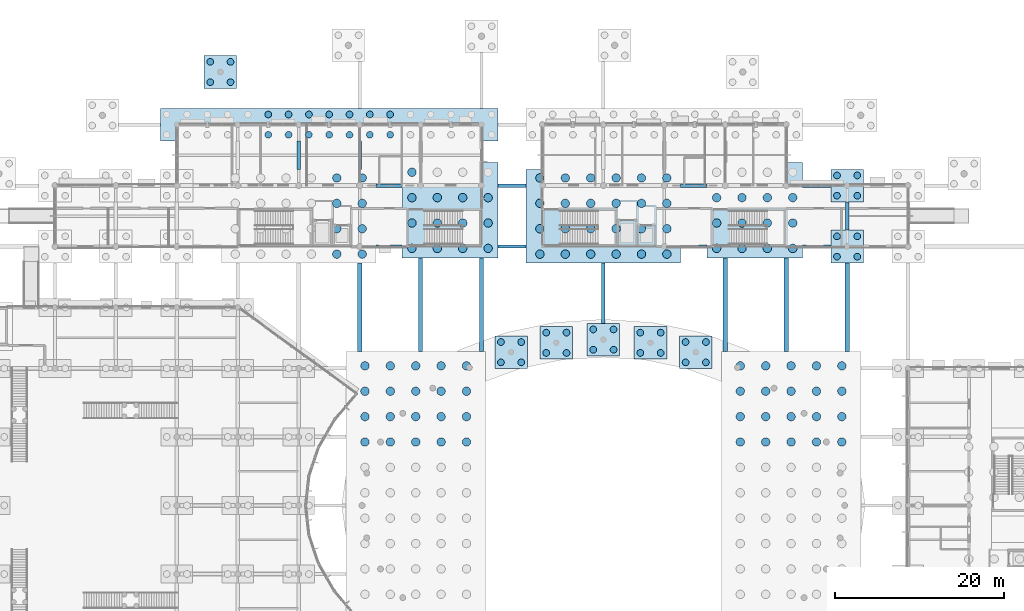
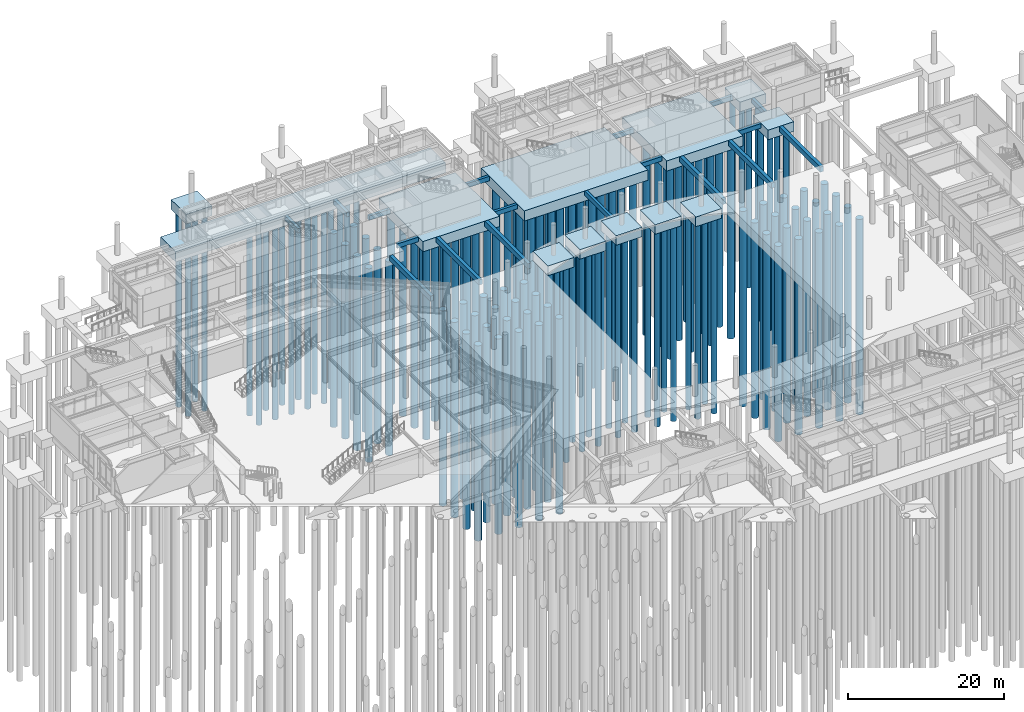
# One storey, part 6 of 103: 143 piles, 30 footings.
"""IFC4 building model written with IfcOpenShell, lengths in metres."""

from ifc_helpers import new_model, si_unit, direction, frame, origin, origin_2d, place, context, subcontext, project, spatial, rectangle, circle, extrude, material, layer, layer_set, material_profile, profile_set, type_object, element, save


model = new_model("IFC4")

# Units and contexts
model_context = context("Model", 3, precision=1e-05, world=origin(), true_north=direction((0.0, 1.0)))
body_context = subcontext(model_context, "Body", "Model", "MODEL_VIEW")
ifc_project = project(units=[si_unit("LENGTHUNIT", "METRE"), si_unit("AREAUNIT", "SQUARE_METRE"), si_unit("VOLUMEUNIT", "CUBIC_METRE"), si_unit("PLANEANGLEUNIT", "RADIAN"), si_unit("MASSUNIT", "GRAM", prefix="KILO")], contexts=[model_context])

# Site, building, storey
site_placement = place(None, origin())
site = spatial("IfcSite", under=ifc_project, at=site_placement, CompositionType="ELEMENT")
building_placement = place(site_placement, origin())
building = spatial("IfcBuilding", under=site, at=building_placement, Name="Namkhue Oval Health Centre", CompositionType="ELEMENT")
storey_placement = place(building_placement, origin())
storey = spatial("IfcBuildingStorey", under=building, at=storey_placement, Name="L00", CompositionType="ELEMENT", Elevation=0.0)

# Footings
ifc_material_1 = material(Name="Reinforced concrete C30/37 (TCVN B35)", Category="concrete")
ifc_layer_1 = layer(ifc_material_1, 1.60009765625)
ifc_layer_set_1 = layer_set([ifc_layer_1], Name="Reinforced concrete C30/37 (TCVN B35)")
footing_type_1 = type_object("IfcFootingType", Name="BORED PILE CAP 11300X11300X1600", PredefinedType="PILE_CAP", material=ifc_layer_set_1)
for number, where, z_axis, x_axis, name in (
    (1, (82.675048828125, 94.27490234375, -1.860107421875), (0.0, 0.0, 1.0), (1.0, 0.0, 0.0), "Reinforced Concrete Pile Cap 115"),
    (2, (118.675048828125, 94.27490234375, -1.864990234375), (0.0, 0.0, 1.0), (1.0, 0.0, 0.0), "Reinforced Concrete Pile Cap 116"),
):
    element("IfcFooting", number, at=place(storey_placement, frame(where, z_axis=z_axis, x_axis=x_axis)), inside=storey, type_object=footing_type_1, Name=name, PredefinedType="PILE_CAP", context=body_context, shape_type="SweptSolid", body=[
        extrude(rectangle(XDim=11.300048828125, YDim=11.300048828125, at=origin_2d()), origin(), (0.0, 0.0, 1.0), 1.60009765625),
    ])
ifc_layer_2 = layer(ifc_material_1, 1.60009765625)
ifc_layer_set_2 = layer_set([ifc_layer_2], Name="Reinforced concrete C30/37 (TCVN B35)")
footing_type_2 = type_object("IfcFootingType", Name="BORED PILE CAP 18250X11050X1600", PredefinedType="PILE_CAP", material=ifc_layer_set_2)
footing_1_placement = place(storey_placement, frame((100.800048828125, 93.60009765625, -1.864990234375), z_axis=(0.0, 0.0, 1.0), x_axis=(1.0, 0.0, 0.0)))
element("IfcFooting", 3, at=footing_1_placement, inside=storey, type_object=footing_type_2, Name="Reinforced Concrete Pile Cap 110", PredefinedType="PILE_CAP", context=body_context, shape_type="SweptSolid", body=[
    extrude(rectangle(XDim=18.25, YDim=11.050048828125, at=origin_2d()), origin(), (0.0, 0.0, 1.0), 1.60009765625),
])
ifc_layer_3 = layer(ifc_material_1, 1.5)
ifc_layer_set_3 = layer_set([ifc_layer_3], Name="Reinforced concrete C30/37 (TCVN B35)")
footing_type_3 = type_object("IfcFootingType", Name="BORED PILE CAP 3850X3850X1500", PredefinedType="PILE_CAP", material=ifc_layer_set_3)
for number, where, z_axis, x_axis, name in (
    (4, (89.888916015625, 77.510009765625, -1.5), (0.0, 0.0, 1.0), (1.0, 0.0, 0.0), "Reinforced Concrete Pile Cap 94"),
    (5, (111.711181640625, 77.510009765625, -1.5), (0.0, 0.0, 1.0), (1.0, 0.0, 0.0), "Reinforced Concrete Pile Cap 95"),
    (6, (95.237548828125, 78.62548828125, -1.5), (0.0, 0.0, 1.0), (1.0, 0.0, 0.0), "Reinforced Concrete Pile Cap 96"),
    (7, (106.3623046875, 78.62548828125, -1.5), (0.0, 0.0, 1.0), (1.0, 0.0, 0.0), "Reinforced Concrete Pile Cap 97"),
    (8, (100.800048828125, 79.001953125, -1.5), (0.0, 0.0, 1.0), (1.0, 0.0, 0.0), "Reinforced Concrete Pile Cap 98"),
    (9, (129.60009765625, 90.0, -1.764892578125), (0.0, 0.0, 1.0), (1.0, 0.0, 0.0), "Reinforced Concrete Pile Cap 111"),
    (10, (129.60009765625, 97.199951171875, -1.764892578125), (0.0, 0.0, 1.0), (1.0, 0.0, 0.0), "Reinforced Concrete Pile Cap 120"),
    (11, (55.540283203125, 110.619873046875, -1.5), (0.0, 0.0, 1.0), (1.0, 0.0, 0.0), "Reinforced Concrete Pile Cap 128"),
):
    element("IfcFooting", number, at=place(storey_placement, frame(where, z_axis=z_axis, x_axis=x_axis)), inside=storey, type_object=footing_type_3, Name=name, PredefinedType="PILE_CAP", context=body_context, shape_type="SweptSolid", body=[
        extrude(rectangle(XDim=3.85009765625, YDim=3.85009765625, at=origin_2d()), origin(), (0.0, 0.0, 1.0), 1.5),
    ])
ifc_layer_4 = layer(ifc_material_1, 1.60009765625)
ifc_layer_set_4 = layer_set([ifc_layer_4], Name="Reinforced concrete C30/37 (TCVN B35)")
footing_type_4 = type_object("IfcFootingType", Name="BORED PILE CAP 39850X3850X1600", PredefinedType="PILE_CAP", material=ifc_layer_set_4)
footing_2_placement = place(storey_placement, frame((68.39990234375, 104.39990234375, -1.860107421875), z_axis=(0.0, 0.0, 1.0), x_axis=(1.0, 0.0, 0.0)))
element("IfcFooting", 12, at=footing_2_placement, inside=storey, type_object=footing_type_4, Name="Reinforced Concrete Pile Cap 124", PredefinedType="PILE_CAP", context=body_context, shape_type="SweptSolid", body=[
    extrude(rectangle(XDim=39.85009765625, YDim=3.85009765625, at=origin_2d()), origin(), (0.0, 0.0, 1.0), 1.60009765625),
])
footing_type_5 = type_object("IfcFootingType", Name="FOUNDATION GROUND BEAM 400X700", PredefinedType="FOOTING_BEAM", material=ifc_material_1)
footing_3_placement = place(storey_placement, frame((75.47509765625, 90.0, -0.9599609375), z_axis=(0.0, 0.0, 1.0), x_axis=(1.0, 0.0, 0.0)))
element("IfcFooting", 13, at=footing_3_placement, inside=storey, type_object=footing_type_5, Name="Foundation Ground Tie Beam X-82", PredefinedType="FOOTING_BEAM", context=body_context, shape_type="SweptSolid", body=[
    extrude(rectangle(XDim=3.10009765625, YDim=0.39990234375, at=origin_2d()), origin(), (0.0, 0.0, 1.0), 0.699951171875),
])
footing_4_placement = place(storey_placement, frame((90.0, 90.0, -0.96484375), z_axis=(0.0, 0.0, 1.0), x_axis=(1.0, 0.0, 0.0)))
element("IfcFooting", 14, at=footing_4_placement, inside=storey, type_object=footing_type_5, Name="Foundation Ground Tie Beam X-83", PredefinedType="FOOTING_BEAM", context=body_context, shape_type="SweptSolid", body=[
    extrude(rectangle(XDim=3.35009765625, YDim=0.39990234375, at=origin_2d()), origin(), (0.0, 0.0, 1.0), 0.699951171875),
])
footing_5_placement = place(storey_placement, frame((111.47509765625, 90.0, -0.96484375), z_axis=(0.0, 0.0, 1.0), x_axis=(1.0, 0.0, 0.0)))
element("IfcFooting", 15, at=footing_5_placement, inside=storey, type_object=footing_type_5, Name="Foundation Ground Tie Beam X-84", PredefinedType="FOOTING_BEAM", context=body_context, shape_type="SweptSolid", body=[
    extrude(rectangle(XDim=3.10009765625, YDim=0.39990234375, at=origin_2d()), origin(), (0.0, 0.0, 1.0), 0.699951171875),
])
footing_6_placement = place(storey_placement, frame((126.0, 90.0, -0.96484375), z_axis=(0.0, 0.0, 1.0), x_axis=(1.0, 0.0, 0.0)))
element("IfcFooting", 16, at=footing_6_placement, inside=storey, type_object=footing_type_5, Name="Foundation Ground Tie Beam X-85", PredefinedType="FOOTING_BEAM", context=body_context, shape_type="SweptSolid", body=[
    extrude(rectangle(XDim=3.35009765625, YDim=0.39990234375, at=origin_2d()), origin(), (0.0, 0.0, 1.0), 0.699951171875),
])
footing_7_placement = place(storey_placement, frame((75.47509765625, 97.199951171875, -0.9599609375), z_axis=(0.0, 0.0, 1.0), x_axis=(1.0, 0.0, 0.0)))
element("IfcFooting", 17, at=footing_7_placement, inside=storey, type_object=footing_type_5, Name="Foundation Ground Tie Beam X-92", PredefinedType="FOOTING_BEAM", context=body_context, shape_type="SweptSolid", body=[
    extrude(rectangle(XDim=3.10009765625, YDim=0.39990234375, at=origin_2d()), origin(), (0.0, 0.0, 1.0), 0.699951171875),
])
footing_8_placement = place(storey_placement, frame((90.0, 97.199951171875, -0.96484375), z_axis=(0.0, 0.0, 1.0), x_axis=(1.0, 0.0, 0.0)))
element("IfcFooting", 18, at=footing_8_placement, inside=storey, type_object=footing_type_5, Name="Foundation Ground Tie Beam X-93", PredefinedType="FOOTING_BEAM", context=body_context, shape_type="SweptSolid", body=[
    extrude(rectangle(XDim=3.35009765625, YDim=0.39990234375, at=origin_2d()), origin(), (0.0, 0.0, 1.0), 0.699951171875),
])
footing_9_placement = place(storey_placement, frame((111.47509765625, 97.199951171875, -0.96484375), z_axis=(0.0, 0.0, 1.0), x_axis=(1.0, 0.0, 0.0)))
element("IfcFooting", 19, at=footing_9_placement, inside=storey, type_object=footing_type_5, Name="Foundation Ground Tie Beam X-94", PredefinedType="FOOTING_BEAM", context=body_context, shape_type="SweptSolid", body=[
    extrude(rectangle(XDim=3.10009765625, YDim=0.39990234375, at=origin_2d()), origin(), (0.0, 0.0, 1.0), 0.699951171875),
])
for number, where, z_axis, x_axis, name in (
    (20, (126.0, 97.199951171875, -0.96484375), (0.0, 0.0, 1.0), (1.0, 0.0, 0.0), "Foundation Ground Tie Beam X-95"),
    (21, (64.800048828125, 100.800048828125, -0.9599609375), (0.0, 0.0, 1.0), (0.0, 1.0, 0.0), "Foundation Ground Tie Beam Y-162"),
    (22, (72.0, 100.800048828125, -0.9599609375), (0.0, 0.0, 1.0), (0.0, 1.0, 0.0), "Foundation Ground Tie Beam Y-167"),
):
    element("IfcFooting", number, at=place(storey_placement, frame(where, z_axis=z_axis, x_axis=x_axis)), inside=storey, type_object=footing_type_5, Name=name, PredefinedType="FOOTING_BEAM", context=body_context, shape_type="SweptSolid", body=[
        extrude(rectangle(XDim=3.35009765625, YDim=0.39990234375, at=origin_2d()), origin(), (0.0, 0.0, 1.0), 0.699951171875),
    ])
footing_10_placement = place(storey_placement, frame((100.800048828125, 84.5009765625, -0.96484375), z_axis=(0.0, 0.0, 1.0), x_axis=(0.0, 1.0, 0.0)))
element("IfcFooting", 23, at=footing_10_placement, inside=storey, type_object=footing_type_5, Name="Foundation Ground Tie Beam Y-184", PredefinedType="FOOTING_BEAM", context=body_context, shape_type="SweptSolid", body=[
    extrude(rectangle(XDim=7.14794921875, YDim=0.39990234375, at=origin_2d()), origin(), (0.0, 0.0, 1.0), 0.699951171875),
])
footing_11_placement = place(storey_placement, frame((129.60009765625, 93.60009765625, -0.96484375), z_axis=(0.0, 0.0, 1.0), x_axis=(0.0, 1.0, 0.0)))
element("IfcFooting", 24, at=footing_11_placement, inside=storey, type_object=footing_type_5, Name="Foundation Ground Tie Beam Y-200", PredefinedType="FOOTING_BEAM", context=body_context, shape_type="SweptSolid", body=[
    extrude(rectangle(XDim=3.35009765625, YDim=0.39990234375, at=origin_2d()), origin(), (0.0, 0.0, 1.0), 0.699951171875),
])
footing_type_6 = type_object("IfcFootingType", Name="FOUNDATION GROUND BEAM 500X800", PredefinedType="FOOTING_BEAM", material=ifc_material_1)
footing_12_placement = place(storey_placement, frame((72.0, 82.83740234375, -1.06005859375), z_axis=(0.0, 0.0, 1.0), x_axis=(0.0, 1.0, 0.0)))
element("IfcFooting", 25, at=footing_12_placement, inside=storey, type_object=footing_type_6, Name="Foundation Ground Tie Beam Y-166", PredefinedType="FOOTING_BEAM", context=body_context, shape_type="SweptSolid", body=[
    extrude(rectangle(XDim=10.47509765625, YDim=0.5, at=origin_2d()), origin(), (0.0, 0.0, 1.0), 0.800048828125),
])
for number, where, z_axis, x_axis, name in (
    (26, (79.199951171875, 83.112548828125, -1.06005859375), (0.0, 0.0, 1.0), (0.0, 1.0, 0.0), "Foundation Ground Tie Beam Y-171"),
    (27, (86.39990234375, 83.112548828125, -1.06005859375), (0.0, 0.0, 1.0), (0.0, 1.0, 0.0), "Foundation Ground Tie Beam Y-176"),
    (28, (115.199951171875, 83.112548828125, -1.06494140625), (0.0, 0.0, 1.0), (0.0, 1.0, 0.0), "Foundation Ground Tie Beam Y-191"),
    (29, (122.39990234375, 83.112548828125, -1.06494140625), (0.0, 0.0, 1.0), (0.0, 1.0, 0.0), "Foundation Ground Tie Beam Y-195"),
):
    element("IfcFooting", number, at=place(storey_placement, frame(where, z_axis=z_axis, x_axis=x_axis)), inside=storey, type_object=footing_type_6, Name=name, PredefinedType="FOOTING_BEAM", context=body_context, shape_type="SweptSolid", body=[
        extrude(rectangle(XDim=11.02490234375, YDim=0.5, at=origin_2d()), origin(), (0.0, 0.0, 1.0), 0.800048828125),
    ])
footing_13_placement = place(storey_placement, frame((129.60009765625, 82.83740234375, -1.06494140625), z_axis=(0.0, 0.0, 1.0), x_axis=(0.0, 1.0, 0.0)))
element("IfcFooting", 30, at=footing_13_placement, inside=storey, type_object=footing_type_6, Name="Foundation Ground Tie Beam Y-199", PredefinedType="FOOTING_BEAM", context=body_context, shape_type="SweptSolid", body=[
    extrude(rectangle(XDim=10.47509765625, YDim=0.5, at=origin_2d()), origin(), (0.0, 0.0, 1.0), 0.800048828125),
])

# Piles
ifc_material_2 = material(Name="Reinforced concrete C25/30 (TCVN B30)", Category="concrete")
ifc_material_profile_1 = material_profile(ifc_material_2, circle(Radius=0.5, at=origin_2d()), Name="BORED PILE D1000")
ifc_profile_set_1 = profile_set([ifc_material_profile_1], Name="Reinforced concrete C25/30 (TCVN B30)")
pile_type_1 = type_object("IfcPileType", Name="RC BORED PILE D1000", PredefinedType="BORED", material=ifc_profile_set_1)
for number, where, z_axis, x_axis, name in (
    (31, (72.623779296875, 66.89990234375, -1.47998046875), (0.0, 0.0, -1.0), (1.0, 0.0, 0.0), "Bored Pile 43-1.9"),
    (32, (72.623779296875, 69.89990234375, -1.47998046875), (0.0, 0.0, -1.0), (1.0, 0.0, 0.0), "Bored Pile 43-1.10"),
    (33, (72.623779296875, 72.89990234375, -1.47998046875), (0.0, 0.0, -1.0), (1.0, 0.0, 0.0), "Bored Pile 43-1.11"),
    (34, (72.623779296875, 75.89990234375, -1.47998046875), (0.0, 0.0, -1.0), (1.0, 0.0, 0.0), "Bored Pile 43-1.12"),
    (35, (75.623779296875, 66.89990234375, -1.47998046875), (0.0, 0.0, -1.0), (1.0, 0.0, 0.0), "Bored Pile 43-2.9"),
    (36, (75.623779296875, 69.89990234375, -1.47998046875), (0.0, 0.0, -1.0), (1.0, 0.0, 0.0), "Bored Pile 43-2.10"),
    (37, (75.623779296875, 72.89990234375, -1.47998046875), (0.0, 0.0, -1.0), (1.0, 0.0, 0.0), "Bored Pile 43-2.11"),
    (38, (75.623779296875, 75.89990234375, -1.47998046875), (0.0, 0.0, -1.0), (1.0, 0.0, 0.0), "Bored Pile 43-2.12"),
    (39, (78.623779296875, 66.89990234375, -1.47998046875), (0.0, 0.0, -1.0), (1.0, 0.0, 0.0), "Bored Pile 43-3.9"),
    (40, (78.623779296875, 69.89990234375, -1.47998046875), (0.0, 0.0, -1.0), (1.0, 0.0, 0.0), "Bored Pile 43-3.10"),
    (41, (78.623779296875, 72.89990234375, -1.47998046875), (0.0, 0.0, -1.0), (1.0, 0.0, 0.0), "Bored Pile 43-3.11"),
    (42, (78.623779296875, 75.89990234375, -1.47998046875), (0.0, 0.0, -1.0), (1.0, 0.0, 0.0), "Bored Pile 43-3.12"),
    (43, (81.623779296875, 66.89990234375, -1.47998046875), (0.0, 0.0, -1.0), (1.0, 0.0, 0.0), "Bored Pile 43-4.9"),
    (44, (81.623779296875, 69.89990234375, -1.47998046875), (0.0, 0.0, -1.0), (1.0, 0.0, 0.0), "Bored Pile 43-4.10"),
    (45, (81.623779296875, 72.89990234375, -1.47998046875), (0.0, 0.0, -1.0), (1.0, 0.0, 0.0), "Bored Pile 43-4.11"),
    (46, (81.623779296875, 75.89990234375, -1.47998046875), (0.0, 0.0, -1.0), (1.0, 0.0, 0.0), "Bored Pile 43-4.12"),
    (47, (84.623779296875, 66.89990234375, -1.47998046875), (0.0, 0.0, -1.0), (1.0, 0.0, 0.0), "Bored Pile 43-5.9"),
    (48, (84.623779296875, 69.89990234375, -1.47998046875), (0.0, 0.0, -1.0), (1.0, 0.0, 0.0), "Bored Pile 43-5.10"),
    (49, (84.623779296875, 72.89990234375, -1.47998046875), (0.0, 0.0, -1.0), (1.0, 0.0, 0.0), "Bored Pile 43-5.11"),
    (50, (84.623779296875, 75.89990234375, -1.47998046875), (0.0, 0.0, -1.0), (1.0, 0.0, 0.0), "Bored Pile 43-5.12"),
    (51, (116.976318359375, 66.89990234375, -1.47998046875), (0.0, 0.0, -1.0), (1.0, 0.0, 0.0), "Bored Pile 44-1.9"),
    (52, (116.976318359375, 69.89990234375, -1.47998046875), (0.0, 0.0, -1.0), (1.0, 0.0, 0.0), "Bored Pile 44-1.10"),
    (53, (116.976318359375, 72.89990234375, -1.47998046875), (0.0, 0.0, -1.0), (1.0, 0.0, 0.0), "Bored Pile 44-1.11"),
    (54, (116.976318359375, 75.89990234375, -1.47998046875), (0.0, 0.0, -1.0), (1.0, 0.0, 0.0), "Bored Pile 44-1.12"),
    (55, (119.976318359375, 66.89990234375, -1.47998046875), (0.0, 0.0, -1.0), (1.0, 0.0, 0.0), "Bored Pile 44-2.9"),
    (56, (119.976318359375, 69.89990234375, -1.47998046875), (0.0, 0.0, -1.0), (1.0, 0.0, 0.0), "Bored Pile 44-2.10"),
    (57, (119.976318359375, 72.89990234375, -1.47998046875), (0.0, 0.0, -1.0), (1.0, 0.0, 0.0), "Bored Pile 44-2.11"),
    (58, (119.976318359375, 75.89990234375, -1.47998046875), (0.0, 0.0, -1.0), (1.0, 0.0, 0.0), "Bored Pile 44-2.12"),
    (59, (122.976318359375, 66.89990234375, -1.47998046875), (0.0, 0.0, -1.0), (1.0, 0.0, 0.0), "Bored Pile 44-3.9"),
    (60, (122.976318359375, 69.89990234375, -1.47998046875), (0.0, 0.0, -1.0), (1.0, 0.0, 0.0), "Bored Pile 44-3.10"),
    (61, (122.976318359375, 72.89990234375, -1.47998046875), (0.0, 0.0, -1.0), (1.0, 0.0, 0.0), "Bored Pile 44-3.11"),
    (62, (122.976318359375, 75.89990234375, -1.47998046875), (0.0, 0.0, -1.0), (1.0, 0.0, 0.0), "Bored Pile 44-3.12"),
    (63, (125.976318359375, 66.89990234375, -1.47998046875), (0.0, 0.0, -1.0), (1.0, 0.0, 0.0), "Bored Pile 44-4.9"),
    (64, (125.976318359375, 69.89990234375, -1.47998046875), (0.0, 0.0, -1.0), (1.0, 0.0, 0.0), "Bored Pile 44-4.10"),
    (65, (125.976318359375, 72.89990234375, -1.47998046875), (0.0, 0.0, -1.0), (1.0, 0.0, 0.0), "Bored Pile 44-4.11"),
    (66, (125.976318359375, 75.89990234375, -1.47998046875), (0.0, 0.0, -1.0), (1.0, 0.0, 0.0), "Bored Pile 44-4.12"),
    (67, (128.976318359375, 66.89990234375, -1.47998046875), (0.0, 0.0, -1.0), (1.0, 0.0, 0.0), "Bored Pile 44-5.9"),
    (68, (128.976318359375, 69.89990234375, -1.47998046875), (0.0, 0.0, -1.0), (1.0, 0.0, 0.0), "Bored Pile 44-5.10"),
    (69, (128.976318359375, 72.89990234375, -1.47998046875), (0.0, 0.0, -1.0), (1.0, 0.0, 0.0), "Bored Pile 44-5.11"),
    (70, (128.976318359375, 75.89990234375, -1.47998046875), (0.0, 0.0, -1.0), (1.0, 0.0, 0.0), "Bored Pile 44-5.12"),
):
    element("IfcPile", number, at=place(storey_placement, frame(where, z_axis=z_axis, x_axis=x_axis)), inside=storey, type_object=pile_type_1, Name=name, PredefinedType="BORED", context=body_context, shape_type="SweptSolid", body=[
        extrude(circle(Radius=0.5, at=origin_2d()), origin(), (0.0, 0.0, 1.0), 30.52001953125),
    ])
for number, where, z_axis, x_axis, name in (
    (71, (69.300048828125, 89.10009765625, -1.739990234375), (0.0, 0.0, -1.0), (1.0, 0.0, 0.0), "Bored Pile 109-5.1"),
    (72, (69.300048828125, 92.10009765625, -1.739990234375), (0.0, 0.0, -1.0), (1.0, 0.0, 0.0), "Bored Pile 109-5.2"),
    (73, (69.300048828125, 95.10009765625, -1.739990234375), (0.0, 0.0, -1.0), (1.0, 0.0, 0.0), "Bored Pile 109-5.3"),
    (74, (69.300048828125, 98.10009765625, -1.739990234375), (0.0, 0.0, -1.0), (1.0, 0.0, 0.0), "Bored Pile 109-5.4"),
    (75, (72.300048828125, 89.10009765625, -1.739990234375), (0.0, 0.0, -1.0), (1.0, 0.0, 0.0), "Bored Pile 109-6.1"),
    (76, (72.300048828125, 92.10009765625, -1.739990234375), (0.0, 0.0, -1.0), (1.0, 0.0, 0.0), "Bored Pile 109-6.2"),
    (77, (72.300048828125, 95.10009765625, -1.739990234375), (0.0, 0.0, -1.0), (1.0, 0.0, 0.0), "Bored Pile 109-6.3"),
    (78, (72.300048828125, 98.10009765625, -1.739990234375), (0.0, 0.0, -1.0), (1.0, 0.0, 0.0), "Bored Pile 109-6.4"),
):
    element("IfcPile", number, at=place(storey_placement, frame(where, z_axis=z_axis, x_axis=x_axis)), inside=storey, type_object=pile_type_1, Name=name, PredefinedType="BORED", context=body_context, shape_type="SweptSolid", body=[
        extrude(circle(Radius=0.5, at=origin_2d()), origin(), (0.0, 0.0, 1.0), 30.260009765625),
    ])
for number, where, z_axis, x_axis, name in (
    (79, (93.300048828125, 89.10009765625, -1.7451171875), (0.0, 0.0, -1.0), (1.0, 0.0, 0.0), "Bored Pile 110-1.1"),
    (80, (93.300048828125, 92.10009765625, -1.7451171875), (0.0, 0.0, -1.0), (1.0, 0.0, 0.0), "Bored Pile 110-1.2"),
    (81, (93.300048828125, 95.10009765625, -1.7451171875), (0.0, 0.0, -1.0), (1.0, 0.0, 0.0), "Bored Pile 110-1.3"),
    (82, (93.300048828125, 98.10009765625, -1.7451171875), (0.0, 0.0, -1.0), (1.0, 0.0, 0.0), "Bored Pile 110-1.4"),
    (83, (96.300048828125, 89.10009765625, -1.7451171875), (0.0, 0.0, -1.0), (1.0, 0.0, 0.0), "Bored Pile 110-2.1"),
    (84, (96.300048828125, 92.10009765625, -1.7451171875), (0.0, 0.0, -1.0), (1.0, 0.0, 0.0), "Bored Pile 110-2.2"),
    (85, (96.300048828125, 95.10009765625, -1.7451171875), (0.0, 0.0, -1.0), (1.0, 0.0, 0.0), "Bored Pile 110-2.3"),
    (86, (96.300048828125, 98.10009765625, -1.7451171875), (0.0, 0.0, -1.0), (1.0, 0.0, 0.0), "Bored Pile 110-2.4"),
    (87, (99.300048828125, 89.10009765625, -1.7451171875), (0.0, 0.0, -1.0), (1.0, 0.0, 0.0), "Bored Pile 110-3.1"),
    (88, (99.300048828125, 92.10009765625, -1.7451171875), (0.0, 0.0, -1.0), (1.0, 0.0, 0.0), "Bored Pile 110-3.2"),
    (89, (99.300048828125, 95.10009765625, -1.7451171875), (0.0, 0.0, -1.0), (1.0, 0.0, 0.0), "Bored Pile 110-3.3"),
    (90, (99.300048828125, 98.10009765625, -1.7451171875), (0.0, 0.0, -1.0), (1.0, 0.0, 0.0), "Bored Pile 110-3.4"),
    (91, (102.300048828125, 89.10009765625, -1.7451171875), (0.0, 0.0, -1.0), (1.0, 0.0, 0.0), "Bored Pile 110-4.1"),
    (92, (102.300048828125, 92.10009765625, -1.7451171875), (0.0, 0.0, -1.0), (1.0, 0.0, 0.0), "Bored Pile 110-4.2"),
    (93, (102.300048828125, 95.10009765625, -1.7451171875), (0.0, 0.0, -1.0), (1.0, 0.0, 0.0), "Bored Pile 110-4.3"),
    (94, (102.300048828125, 98.10009765625, -1.7451171875), (0.0, 0.0, -1.0), (1.0, 0.0, 0.0), "Bored Pile 110-4.4"),
    (95, (105.300048828125, 89.10009765625, -1.7451171875), (0.0, 0.0, -1.0), (1.0, 0.0, 0.0), "Bored Pile 110-5.1"),
    (96, (105.300048828125, 92.10009765625, -1.7451171875), (0.0, 0.0, -1.0), (1.0, 0.0, 0.0), "Bored Pile 110-5.2"),
    (97, (105.300048828125, 95.10009765625, -1.7451171875), (0.0, 0.0, -1.0), (1.0, 0.0, 0.0), "Bored Pile 110-5.3"),
    (98, (105.300048828125, 98.10009765625, -1.7451171875), (0.0, 0.0, -1.0), (1.0, 0.0, 0.0), "Bored Pile 110-5.4"),
    (99, (108.300048828125, 89.10009765625, -1.7451171875), (0.0, 0.0, -1.0), (1.0, 0.0, 0.0), "Bored Pile 110-6.1"),
    (100, (108.300048828125, 92.10009765625, -1.7451171875), (0.0, 0.0, -1.0), (1.0, 0.0, 0.0), "Bored Pile 110-6.2"),
    (101, (108.300048828125, 95.10009765625, -1.7451171875), (0.0, 0.0, -1.0), (1.0, 0.0, 0.0), "Bored Pile 110-6.3"),
    (102, (108.300048828125, 98.10009765625, -1.7451171875), (0.0, 0.0, -1.0), (1.0, 0.0, 0.0), "Bored Pile 110-6.4"),
):
    element("IfcPile", number, at=place(storey_placement, frame(where, z_axis=z_axis, x_axis=x_axis)), inside=storey, type_object=pile_type_1, Name=name, PredefinedType="BORED", context=body_context, shape_type="SweptSolid", body=[
        extrude(circle(Radius=0.5, at=origin_2d()), origin(), (0.0, 0.0, 1.0), 30.2548828125),
    ])
for number, where, z_axis, x_axis, name in (
    (103, (78.175048828125, 89.77490234375, -1.739990234375), (0.0, 0.0, -1.0), (1.0, 0.0, 0.0), "Bored Pile 115-1.1"),
    (104, (78.175048828125, 92.77490234375, -1.739990234375), (0.0, 0.0, -1.0), (1.0, 0.0, 0.0), "Bored Pile 115-1.2"),
    (105, (78.175048828125, 95.77490234375, -1.739990234375), (0.0, 0.0, -1.0), (1.0, 0.0, 0.0), "Bored Pile 115-1.3"),
    (106, (78.175048828125, 98.77490234375, -1.739990234375), (0.0, 0.0, -1.0), (1.0, 0.0, 0.0), "Bored Pile 115-1.4"),
    (107, (81.175048828125, 89.77490234375, -1.739990234375), (0.0, 0.0, -1.0), (1.0, 0.0, 0.0), "Bored Pile 115-2.1"),
    (108, (81.175048828125, 92.77490234375, -1.739990234375), (0.0, 0.0, -1.0), (1.0, 0.0, 0.0), "Bored Pile 115-2.2"),
    (109, (81.175048828125, 95.77490234375, -1.739990234375), (0.0, 0.0, -1.0), (1.0, 0.0, 0.0), "Bored Pile 115-2.3"),
    (110, (84.175048828125, 89.77490234375, -1.739990234375), (0.0, 0.0, -1.0), (1.0, 0.0, 0.0), "Bored Pile 115-3.1"),
    (111, (84.175048828125, 92.77490234375, -1.739990234375), (0.0, 0.0, -1.0), (1.0, 0.0, 0.0), "Bored Pile 115-3.2"),
    (112, (84.175048828125, 95.77490234375, -1.739990234375), (0.0, 0.0, -1.0), (1.0, 0.0, 0.0), "Bored Pile 115-3.3"),
    (113, (87.175048828125, 89.77490234375, -1.739990234375), (0.0, 0.0, -1.0), (1.0, 0.0, 0.0), "Bored Pile 115-4.1"),
    (114, (87.175048828125, 92.77490234375, -1.739990234375), (0.0, 0.0, -1.0), (1.0, 0.0, 0.0), "Bored Pile 115-4.2"),
    (115, (87.175048828125, 95.77490234375, -1.739990234375), (0.0, 0.0, -1.0), (1.0, 0.0, 0.0), "Bored Pile 115-4.3"),
):
    element("IfcPile", number, at=place(storey_placement, frame(where, z_axis=z_axis, x_axis=x_axis)), inside=storey, type_object=pile_type_1, Name=name, PredefinedType="BORED", context=body_context, shape_type="SweptSolid", body=[
        extrude(circle(Radius=0.5, at=origin_2d()), origin(), (0.0, 0.0, 1.0), 30.260009765625),
    ])
for number, where, z_axis, x_axis, name in (
    (116, (114.175048828125, 89.77490234375, -1.7451171875), (0.0, 0.0, -1.0), (1.0, 0.0, 0.0), "Bored Pile 116-1.1"),
    (117, (114.175048828125, 92.77490234375, -1.7451171875), (0.0, 0.0, -1.0), (1.0, 0.0, 0.0), "Bored Pile 116-1.2"),
    (118, (114.175048828125, 95.77490234375, -1.7451171875), (0.0, 0.0, -1.0), (1.0, 0.0, 0.0), "Bored Pile 116-1.3"),
    (119, (117.175048828125, 89.77490234375, -1.7451171875), (0.0, 0.0, -1.0), (1.0, 0.0, 0.0), "Bored Pile 116-2.1"),
    (120, (117.175048828125, 92.77490234375, -1.7451171875), (0.0, 0.0, -1.0), (1.0, 0.0, 0.0), "Bored Pile 116-2.2"),
    (121, (117.175048828125, 95.77490234375, -1.7451171875), (0.0, 0.0, -1.0), (1.0, 0.0, 0.0), "Bored Pile 116-2.3"),
    (122, (120.175048828125, 89.77490234375, -1.7451171875), (0.0, 0.0, -1.0), (1.0, 0.0, 0.0), "Bored Pile 116-3.1"),
    (123, (120.175048828125, 92.77490234375, -1.7451171875), (0.0, 0.0, -1.0), (1.0, 0.0, 0.0), "Bored Pile 116-3.2"),
    (124, (120.175048828125, 95.77490234375, -1.7451171875), (0.0, 0.0, -1.0), (1.0, 0.0, 0.0), "Bored Pile 116-3.3"),
    (125, (123.175048828125, 89.77490234375, -1.7451171875), (0.0, 0.0, -1.0), (1.0, 0.0, 0.0), "Bored Pile 116-4.1"),
    (126, (123.175048828125, 92.77490234375, -1.7451171875), (0.0, 0.0, -1.0), (1.0, 0.0, 0.0), "Bored Pile 116-4.2"),
    (127, (123.175048828125, 95.77490234375, -1.7451171875), (0.0, 0.0, -1.0), (1.0, 0.0, 0.0), "Bored Pile 116-4.3"),
):
    element("IfcPile", number, at=place(storey_placement, frame(where, z_axis=z_axis, x_axis=x_axis)), inside=storey, type_object=pile_type_1, Name=name, PredefinedType="BORED", context=body_context, shape_type="SweptSolid", body=[
        extrude(circle(Radius=0.5, at=origin_2d()), origin(), (0.0, 0.0, 1.0), 30.2548828125),
    ])
ifc_material_profile_2 = material_profile(ifc_material_2, circle(Radius=0.39990234375, at=origin_2d()), Name="BORED PILE D800")
ifc_profile_set_2 = profile_set([ifc_material_profile_2], Name="Reinforced concrete C25/30 (TCVN B30)")
pile_type_2 = type_object("IfcPileType", Name="RC BORED PILE D800", PredefinedType="BORED", material=ifc_profile_set_2)
for number, where, z_axis, x_axis, name in (
    (128, (88.68896484375, 76.309814453125, -1.3798828125), (0.0, 0.0, -1.0), (1.0, 0.0, 0.0), "Bored Pile 94-1.1"),
    (129, (88.68896484375, 78.7099609375, -1.3798828125), (0.0, 0.0, -1.0), (1.0, 0.0, 0.0), "Bored Pile 94-1.2"),
    (130, (91.0888671875, 76.309814453125, -1.3798828125), (0.0, 0.0, -1.0), (1.0, 0.0, 0.0), "Bored Pile 94-2.1"),
    (131, (91.0888671875, 78.7099609375, -1.3798828125), (0.0, 0.0, -1.0), (1.0, 0.0, 0.0), "Bored Pile 94-2.2"),
    (132, (110.510986328125, 76.309814453125, -1.3798828125), (0.0, 0.0, -1.0), (1.0, 0.0, 0.0), "Bored Pile 95-1.1"),
    (133, (110.510986328125, 78.7099609375, -1.3798828125), (0.0, 0.0, -1.0), (1.0, 0.0, 0.0), "Bored Pile 95-1.2"),
    (134, (112.9111328125, 76.309814453125, -1.3798828125), (0.0, 0.0, -1.0), (1.0, 0.0, 0.0), "Bored Pile 95-2.1"),
    (135, (112.9111328125, 78.7099609375, -1.3798828125), (0.0, 0.0, -1.0), (1.0, 0.0, 0.0), "Bored Pile 95-2.2"),
    (136, (94.03759765625, 77.42529296875, -1.3798828125), (0.0, 0.0, -1.0), (1.0, 0.0, 0.0), "Bored Pile 96-1.1"),
    (137, (94.03759765625, 79.825439453125, -1.3798828125), (0.0, 0.0, -1.0), (1.0, 0.0, 0.0), "Bored Pile 96-1.2"),
    (138, (96.4375, 77.42529296875, -1.3798828125), (0.0, 0.0, -1.0), (1.0, 0.0, 0.0), "Bored Pile 96-2.1"),
    (139, (96.4375, 79.825439453125, -1.3798828125), (0.0, 0.0, -1.0), (1.0, 0.0, 0.0), "Bored Pile 96-2.2"),
    (140, (105.162353515625, 77.42529296875, -1.3798828125), (0.0, 0.0, -1.0), (1.0, 0.0, 0.0), "Bored Pile 97-1.1"),
    (141, (105.162353515625, 79.825439453125, -1.3798828125), (0.0, 0.0, -1.0), (1.0, 0.0, 0.0), "Bored Pile 97-1.2"),
    (142, (107.5625, 77.42529296875, -1.3798828125), (0.0, 0.0, -1.0), (1.0, 0.0, 0.0), "Bored Pile 97-2.1"),
    (143, (107.5625, 79.825439453125, -1.3798828125), (0.0, 0.0, -1.0), (1.0, 0.0, 0.0), "Bored Pile 97-2.2"),
    (144, (99.60009765625, 77.802001953125, -1.3798828125), (0.0, 0.0, -1.0), (1.0, 0.0, 0.0), "Bored Pile 98-1.1"),
    (145, (99.60009765625, 80.201904296875, -1.3798828125), (0.0, 0.0, -1.0), (1.0, 0.0, 0.0), "Bored Pile 98-1.2"),
    (146, (102.0, 77.802001953125, -1.3798828125), (0.0, 0.0, -1.0), (1.0, 0.0, 0.0), "Bored Pile 98-2.1"),
    (147, (102.0, 80.201904296875, -1.3798828125), (0.0, 0.0, -1.0), (1.0, 0.0, 0.0), "Bored Pile 98-2.2"),
):
    element("IfcPile", number, at=place(storey_placement, frame(where, z_axis=z_axis, x_axis=x_axis)), inside=storey, type_object=pile_type_2, Name=name, PredefinedType="BORED", context=body_context, shape_type="SweptSolid", body=[
        extrude(circle(Radius=0.39990234375, at=origin_2d()), origin(), (0.0, 0.0, 1.0), 30.6201171875),
    ])
for number, where, z_axis, x_axis, name in (
    (148, (128.39990234375, 88.800048828125, -1.64501953125), (0.0, 0.0, -1.0), (1.0, 0.0, 0.0), "Bored Pile 111-1.1"),
    (149, (128.39990234375, 91.199951171875, -1.64501953125), (0.0, 0.0, -1.0), (1.0, 0.0, 0.0), "Bored Pile 111-1.2"),
    (150, (130.800048828125, 88.800048828125, -1.64501953125), (0.0, 0.0, -1.0), (1.0, 0.0, 0.0), "Bored Pile 111-2.1"),
    (151, (130.800048828125, 91.199951171875, -1.64501953125), (0.0, 0.0, -1.0), (1.0, 0.0, 0.0), "Bored Pile 111-2.2"),
    (152, (128.39990234375, 96.0, -1.64501953125), (0.0, 0.0, -1.0), (1.0, 0.0, 0.0), "Bored Pile 120-1.1"),
    (153, (128.39990234375, 98.39990234375, -1.64501953125), (0.0, 0.0, -1.0), (1.0, 0.0, 0.0), "Bored Pile 120-1.2"),
    (154, (130.800048828125, 96.0, -1.64501953125), (0.0, 0.0, -1.0), (1.0, 0.0, 0.0), "Bored Pile 120-2.1"),
    (155, (130.800048828125, 98.39990234375, -1.64501953125), (0.0, 0.0, -1.0), (1.0, 0.0, 0.0), "Bored Pile 120-2.2"),
):
    element("IfcPile", number, at=place(storey_placement, frame(where, z_axis=z_axis, x_axis=x_axis)), inside=storey, type_object=pile_type_2, Name=name, PredefinedType="BORED", context=body_context, shape_type="SweptSolid", body=[
        extrude(circle(Radius=0.39990234375, at=origin_2d()), origin(), (0.0, 0.0, 1.0), 30.35498046875),
    ])
for number, where, z_axis, x_axis, name in (
    (156, (61.199951171875, 103.199951171875, -1.739990234375), (0.0, 0.0, -1.0), (1.0, 0.0, 0.0), "Bored Pile 124-6.1"),
    (157, (61.199951171875, 105.60009765625, -1.739990234375), (0.0, 0.0, -1.0), (1.0, 0.0, 0.0), "Bored Pile 124-6.2"),
    (158, (63.60009765625, 103.199951171875, -1.739990234375), (0.0, 0.0, -1.0), (1.0, 0.0, 0.0), "Bored Pile 124-7.1"),
    (159, (63.60009765625, 105.60009765625, -1.739990234375), (0.0, 0.0, -1.0), (1.0, 0.0, 0.0), "Bored Pile 124-7.2"),
    (160, (66.0, 103.199951171875, -1.739990234375), (0.0, 0.0, -1.0), (1.0, 0.0, 0.0), "Bored Pile 124-8.1"),
    (161, (66.0, 105.60009765625, -1.739990234375), (0.0, 0.0, -1.0), (1.0, 0.0, 0.0), "Bored Pile 124-8.2"),
    (162, (68.39990234375, 103.199951171875, -1.739990234375), (0.0, 0.0, -1.0), (1.0, 0.0, 0.0), "Bored Pile 124-9.1"),
    (163, (68.39990234375, 105.60009765625, -1.739990234375), (0.0, 0.0, -1.0), (1.0, 0.0, 0.0), "Bored Pile 124-9.2"),
    (164, (70.800048828125, 103.199951171875, -1.739990234375), (0.0, 0.0, -1.0), (1.0, 0.0, 0.0), "Bored Pile 124-10.1"),
    (165, (70.800048828125, 105.60009765625, -1.739990234375), (0.0, 0.0, -1.0), (1.0, 0.0, 0.0), "Bored Pile 124-10.2"),
    (166, (73.199951171875, 103.199951171875, -1.739990234375), (0.0, 0.0, -1.0), (1.0, 0.0, 0.0), "Bored Pile 124-11.1"),
    (167, (73.199951171875, 105.60009765625, -1.739990234375), (0.0, 0.0, -1.0), (1.0, 0.0, 0.0), "Bored Pile 124-11.2"),
    (168, (75.60009765625, 103.199951171875, -1.739990234375), (0.0, 0.0, -1.0), (1.0, 0.0, 0.0), "Bored Pile 124-12.1"),
    (169, (75.60009765625, 105.60009765625, -1.739990234375), (0.0, 0.0, -1.0), (1.0, 0.0, 0.0), "Bored Pile 124-12.2"),
):
    element("IfcPile", number, at=place(storey_placement, frame(where, z_axis=z_axis, x_axis=x_axis)), inside=storey, type_object=pile_type_2, Name=name, PredefinedType="BORED", context=body_context, shape_type="SweptSolid", body=[
        extrude(circle(Radius=0.39990234375, at=origin_2d()), origin(), (0.0, 0.0, 1.0), 30.260009765625),
    ])
for number, where, z_axis, x_axis, name in (
    (170, (54.34033203125, 109.419921875, -1.3798828125), (0.0, 0.0, -1.0), (1.0, 0.0, 0.0), "Bored Pile 128-1.1"),
    (171, (54.34033203125, 111.81982421875, -1.3798828125), (0.0, 0.0, -1.0), (1.0, 0.0, 0.0), "Bored Pile 128-1.2"),
    (172, (56.740478515625, 109.419921875, -1.3798828125), (0.0, 0.0, -1.0), (1.0, 0.0, 0.0), "Bored Pile 128-2.1"),
    (173, (56.740478515625, 111.81982421875, -1.3798828125), (0.0, 0.0, -1.0), (1.0, 0.0, 0.0), "Bored Pile 128-2.2"),
):
    element("IfcPile", number, at=place(storey_placement, frame(where, z_axis=z_axis, x_axis=x_axis)), inside=storey, type_object=pile_type_2, Name=name, PredefinedType="BORED", context=body_context, shape_type="SweptSolid", body=[
        extrude(circle(Radius=0.39990234375, at=origin_2d()), origin(), (0.0, 0.0, 1.0), 30.6201171875),
    ])

save(model, "model.ifc")
